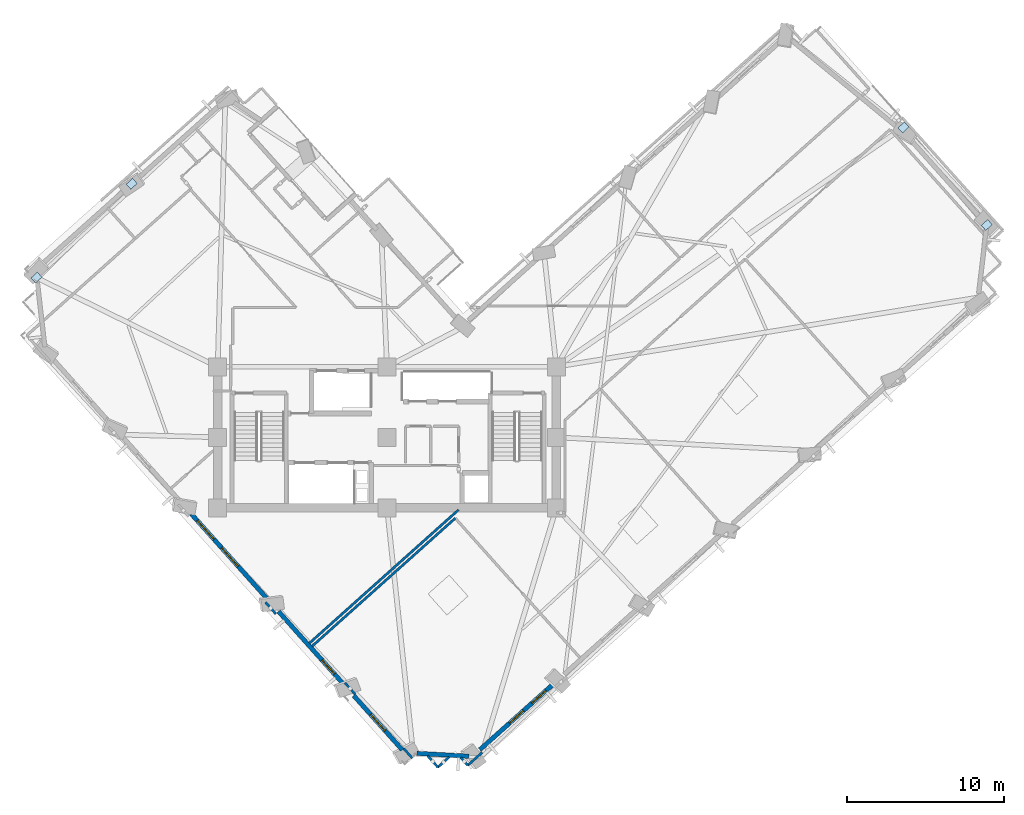
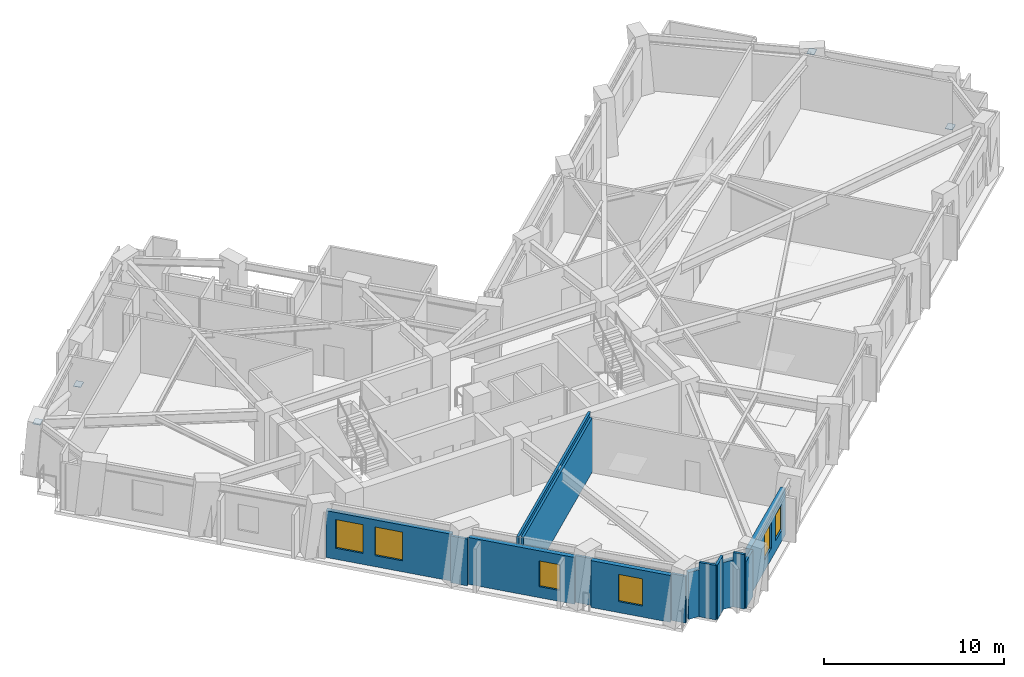
# One storey, part 5 of 14: 14 walls, 6 windows, 4 plates, 6 openings.
"""IFC4 building model written with IfcOpenShell, lengths in metres."""

from ifc_helpers import new_model, si_unit, direction, frame, frame_2d, origin, origin_2d, place, context, subcontext, project, spatial, rectangle, extrude, material, layer, layer_set, type_object, element, fill, save


model = new_model("IFC4")

# Units and contexts
model_context = context("Model", 3, precision=1e-05, world=origin(), true_north=direction((0.0, 1.0)))
body_context = subcontext(model_context, "Body", "Model", "MODEL_VIEW")
ifc_project = project(units=[si_unit("LENGTHUNIT", "METRE"), si_unit("AREAUNIT", "SQUARE_METRE"), si_unit("VOLUMEUNIT", "CUBIC_METRE"), si_unit("PLANEANGLEUNIT", "RADIAN"), si_unit("MASSUNIT", "GRAM", prefix="KILO")], contexts=[model_context])

# Site, building, storey
site_placement = place(None, origin())
site = spatial("IfcSite", under=ifc_project, at=site_placement, CompositionType="ELEMENT")
building_placement = place(site_placement, origin())
building = spatial("IfcBuilding", under=site, at=building_placement, Name="Gaonmaruhae Medical Tower", CompositionType="ELEMENT")
storey_placement = place(building_placement, frame((0.0, 0.0, 201.800048828125)))
storey = spatial("IfcBuildingStorey", under=building, at=storey_placement, Name="L48", CompositionType="ELEMENT", Elevation=201.800048828125)

# Plates
ifc_material_1 = material(Name="Steel HSA650 (650 MPa)", Category="steel")
ifc_layer_1 = layer(ifc_material_1, 0.028076171875)
ifc_layer_set_1 = layer_set([ifc_layer_1], Name="Steel HSA650 (650 MPa)")
plate_type = type_object("IfcPlateType", Name="GP-02 Tube Brace End Cap Gusset Plate", PredefinedType="USERDEFINED", material=ifc_layer_set_1)
for number, where, z_axis, x_axis, name in (
    (1, (63.049072265625, 25.8447265625, 0.23583984375), (0.0, 0.0, 1.0), (0.745475999683, 0.666532470249, 0.0), "L48 Gusset Cap Plate PLT-L48-PBR-E01A"),
    (2, (57.733154296875, 32.060546875, 3.43603515625), (0.0, 0.0, 1.0), (0.734322509436, 0.678800745533, 0.0), "L48 Gusset Cap Plate PLT-L48-PBR-E01B"),
    (3, (8.52197265625, 28.46826171875, 0.23583984375), (0.0, 0.0, 1.0), (0.745475999683, 0.666532470249, 0.0), "L48 Gusset Cap Plate PLT-L48-PBR-N02A"),
    (4, (2.443115234375, 22.48583984375, 3.43603515625), (0.0, 0.0, 1.0), (0.734322509436, 0.678800745533, 0.0), "L48 Gusset Cap Plate PLT-L48-PBR-N02B"),
):
    element("IfcPlate", number, at=place(storey_placement, frame(where, z_axis=z_axis, x_axis=x_axis)), inside=storey, type_object=plate_type, Name=name, ObjectType="GUSSET_PLATE", PredefinedType="USERDEFINED", context=body_context, shape_type="SweptSolid", body=[
        extrude(rectangle(XDim=0.56005859375, YDim=0.43994140625, at=origin_2d()), origin(), (0.0, 0.0, 1.0), 0.028076171875),
    ])

# Wall, openings, windows
ifc_material_2 = material(Name="Precast concrete C45/55", Category="concrete")
ifc_layer_2 = layer(ifc_material_2, 0.280029296875)
ifc_layer_set_2 = layer_set([ifc_layer_2], Name="Precast concrete C45/55")
wall_type_1 = type_object("IfcWallType", Name="EW-280 Upper Precast Masonry-Frame Facade Wall", PredefinedType="SOLIDWALL", material=ifc_layer_set_2)
wall_1_placement = place(storey_placement, frame((35.391845703125, -3.444580078125, 0.0), z_axis=(0.0, 0.0, 1.0), x_axis=(-0.745468368809, -0.666541004819, 0.0)))
wall_1 = element("IfcWall", 5, at=wall_1_placement, inside=storey, type_object=wall_type_1, Name="L48 Precast Masonry-Frame Wall S01-S02", PredefinedType="SOLIDWALL", context=body_context, shape_type="SweptSolid", body=[
    extrude(rectangle(XDim=6.27001953125, YDim=0.280029296875, at=frame_2d((3.135009765625, 0.0))), origin(), (0.0, 0.0, 1.0), 3.18505859375),
])
opening_1_placement = place(wall_1_placement, frame((2.529296875, 0.0, 0.75)))
opening_1 = element("IfcOpeningElement", 6, at=opening_1_placement, cuts=wall_1, Name="Opening WN-05", PredefinedType="OPENING", context=body_context, shape_type="SweptSolid", body=[
    extrude(rectangle(XDim=1.199951171875, YDim=1.75, at=frame_2d((0.60009765625, 0.875))), frame((0.0, 0.14990234375, 0.0), z_axis=(0.0, -1.0, 0.0), x_axis=(1.0, 0.0, 0.0)), (0.0, 0.0, 1.0), 0.300048828125),
])
opening_2_placement = place(wall_1_placement, frame((0.604736328125, 0.0, 0.75)))
opening_2 = element("IfcOpeningElement", 7, at=opening_2_placement, cuts=wall_1, Name="Opening WN-05", PredefinedType="OPENING", context=body_context, shape_type="SweptSolid", body=[
    extrude(rectangle(XDim=1.199951171875, YDim=1.75, at=frame_2d((0.60009765625, 0.875))), frame((0.0, 0.14990234375, 0.0), z_axis=(0.0, -1.0, 0.0), x_axis=(1.0, 0.0, 0.0)), (0.0, 0.0, 1.0), 0.300048828125),
])
ifc_material_3 = material(Name="Anodised aluminium and Low-E double glazing", Category="aluminium")
window_type_1 = type_object("IfcWindowType", Name="WN-05 Support & Staff Punched Window 1200x1750", PartitioningType="SINGLE_PANEL", PredefinedType="WINDOW", material=ifc_material_3)
window_1_placement = place(opening_1_placement, origin())
window_1 = element("IfcWindow", 8, at=window_1_placement, inside=storey, type_object=window_type_1, Name="L48 Modular Facade Window S01", OverallHeight=1.75, OverallWidth=1.199951171875, PartitioningType="SINGLE_PANEL", PredefinedType="WINDOW", context=body_context, shape_type="SweptSolid", body=[
    extrude(rectangle(XDim=1.199951171875, YDim=1.75, at=frame_2d((0.60009765625, 0.875))), frame((0.0, 0.030029296875, 0.0), z_axis=(0.0, -1.0, 0.0), x_axis=(1.0, 0.0, 0.0)), (0.0, 0.0, 1.0), 0.06005859375),
])
fill(opening_1, window_1)
window_2_placement = place(opening_2_placement, origin())
window_2 = element("IfcWindow", 9, at=window_2_placement, inside=storey, type_object=window_type_1, Name="L48 Modular Facade Window S01B", OverallHeight=1.75, OverallWidth=1.199951171875, PartitioningType="SINGLE_PANEL", PredefinedType="WINDOW", context=body_context, shape_type="SweptSolid", body=[
    extrude(rectangle(XDim=1.199951171875, YDim=1.75, at=frame_2d((0.60009765625, 0.875))), frame((0.0, 0.030029296875, 0.0), z_axis=(0.0, -1.0, 0.0), x_axis=(1.0, 0.0, 0.0)), (0.0, 0.0, 1.0), 0.06005859375),
])
fill(opening_2, window_2)

wall_2_placement = place(storey_placement, frame((17.22509765625, 1.930908203125, 0.0), z_axis=(0.0, 0.0, 1.0), x_axis=(-0.666514603802, 0.745491973746, 0.0)))
wall_2 = element("IfcWall", 10, at=wall_2_placement, inside=storey, type_object=wall_type_1, Name="L48 Precast Masonry-Frame Wall W03-W04", PredefinedType="SOLIDWALL", context=body_context, shape_type="SweptSolid", body=[
    extrude(rectangle(XDim=7.3603515625, YDim=0.280029296875, at=frame_2d((3.68017578125, 0.0))), origin(), (0.0, 0.0, 1.0), 3.18505859375),
])
opening_3_placement = place(wall_2_placement, frame((2.880859375, 0.0, 0.75)))
opening_3 = element("IfcOpeningElement", 11, at=opening_3_placement, cuts=wall_2, Name="Opening WN-01", PredefinedType="OPENING", context=body_context, shape_type="SweptSolid", body=[
    extrude(rectangle(XDim=1.60009765625, YDim=1.949951171875, at=frame_2d((0.800048828125, 0.97509765625))), frame((0.0, 0.14990234375, 0.0), z_axis=(0.0, -1.0, 0.0), x_axis=(1.0, 0.0, 0.0)), (0.0, 0.0, 1.0), 0.300048828125),
])
opening_4_placement = place(wall_2_placement, frame((5.185546875, 0.0, 0.75)))
opening_4 = element("IfcOpeningElement", 12, at=opening_4_placement, cuts=wall_2, Name="Opening WN-01", PredefinedType="OPENING", context=body_context, shape_type="SweptSolid", body=[
    extrude(rectangle(XDim=1.60009765625, YDim=1.949951171875, at=frame_2d((0.800048828125, 0.97509765625))), frame((0.0, 0.14990234375, 0.0), z_axis=(0.0, -1.0, 0.0), x_axis=(1.0, 0.0, 0.0)), (0.0, 0.0, 1.0), 0.300048828125),
])
window_type_2 = type_object("IfcWindowType", Name="WN-01 Ward Punched Acoustic Window 1600x1950", PartitioningType="SINGLE_PANEL", PredefinedType="WINDOW", material=ifc_material_3)
window_3_placement = place(opening_3_placement, origin())
window_3 = element("IfcWindow", 13, at=window_3_placement, inside=storey, type_object=window_type_2, Name="L48 Modular Facade Window W03", OverallHeight=1.949951171875, OverallWidth=1.60009765625, PartitioningType="SINGLE_PANEL", PredefinedType="WINDOW", context=body_context, shape_type="SweptSolid", body=[
    extrude(rectangle(XDim=1.60009765625, YDim=1.949951171875, at=frame_2d((0.800048828125, 0.97509765625))), frame((0.0, 0.030029296875, 0.0), z_axis=(0.0, -1.0, 0.0), x_axis=(1.0, 0.0, 0.0)), (0.0, 0.0, 1.0), 0.06005859375),
])
fill(opening_3, window_3)
window_4_placement = place(opening_4_placement, origin())
window_4 = element("IfcWindow", 14, at=window_4_placement, inside=storey, type_object=window_type_2, Name="L48 Modular Facade Window W03B", OverallHeight=1.949951171875, OverallWidth=1.60009765625, PartitioningType="SINGLE_PANEL", PredefinedType="WINDOW", context=body_context, shape_type="SweptSolid", body=[
    extrude(rectangle(XDim=1.60009765625, YDim=1.949951171875, at=frame_2d((0.800048828125, 0.97509765625))), frame((0.0, 0.030029296875, 0.0), z_axis=(0.0, -1.0, 0.0), x_axis=(1.0, 0.0, 0.0)), (0.0, 0.0, 1.0), 0.06005859375),
])
fill(opening_4, window_4)

# Wall, opening, window
wall_3_placement = place(storey_placement, frame((22.03076171875, -3.44384765625, 0.0), z_axis=(0.0, 0.0, 1.0), x_axis=(-0.66652076244, 0.745486467507, 0.0)))
wall_3 = element("IfcWall", 15, at=wall_3_placement, inside=storey, type_object=wall_type_1, Name="L48 Precast Masonry-Frame Wall W04-W05", PredefinedType="SOLIDWALL", context=body_context, shape_type="SweptSolid", body=[
    extrude(rectangle(XDim=6.2236328125, YDim=0.280029296875, at=frame_2d((3.11181640625, 0.0))), origin(), (0.0, 0.0, 1.0), 3.18505859375),
])
opening_5_placement = place(wall_3_placement, frame((0.8701171875, 0.0, 0.75)))
opening_5 = element("IfcOpeningElement", 16, at=opening_5_placement, cuts=wall_3, Name="Opening WN-05", PredefinedType="OPENING", context=body_context, shape_type="SweptSolid", body=[
    extrude(rectangle(XDim=1.199951171875, YDim=1.75, at=frame_2d((0.60009765625, 0.875))), frame((0.0, 0.14990234375, 0.0), z_axis=(0.0, -1.0, 0.0), x_axis=(1.0, 0.0, 0.0)), (0.0, 0.0, 1.0), 0.300048828125),
])
window_5_placement = place(opening_5_placement, origin())
window_5 = element("IfcWindow", 17, at=window_5_placement, inside=storey, type_object=window_type_1, Name="L48 Modular Facade Window W04", OverallHeight=1.75, OverallWidth=1.199951171875, PartitioningType="SINGLE_PANEL", PredefinedType="WINDOW", context=body_context, shape_type="SweptSolid", body=[
    extrude(rectangle(XDim=1.199951171875, YDim=1.75, at=frame_2d((0.60009765625, 0.875))), frame((0.0, 0.030029296875, 0.0), z_axis=(0.0, -1.0, 0.0), x_axis=(1.0, 0.0, 0.0)), (0.0, 0.0, 1.0), 0.06005859375),
])
fill(opening_5, window_5)

wall_4_placement = place(storey_placement, frame((25.772216796875, -7.628173828125, 0.0), z_axis=(0.0, 0.0, 1.0), x_axis=(-0.666581389655, 0.745432257798, 0.0)))
wall_4 = element("IfcWall", 18, at=wall_4_placement, inside=storey, type_object=wall_type_1, Name="L48 Precast Masonry-Frame Wall W05-W06", PredefinedType="SOLIDWALL", context=body_context, shape_type="SweptSolid", body=[
    extrude(rectangle(XDim=4.6474609375, YDim=0.280029296875, at=frame_2d((2.32373046875, 0.0))), origin(), (0.0, 0.0, 1.0), 3.18505859375),
])
opening_6_placement = place(wall_4_placement, frame((1.627197265625, 0.0, 0.75)))
opening_6 = element("IfcOpeningElement", 19, at=opening_6_placement, cuts=wall_4, Name="Opening WN-03", PredefinedType="OPENING", context=body_context, shape_type="SweptSolid", body=[
    extrude(rectangle(XDim=1.39990234375, YDim=1.85009765625, at=frame_2d((0.699951171875, 0.925048828125))), frame((0.0, 0.14990234375, 0.0), z_axis=(0.0, -1.0, 0.0), x_axis=(1.0, 0.0, 0.0)), (0.0, 0.0, 1.0), 0.300048828125),
])
window_type_3 = type_object("IfcWindowType", Name="WN-03 Isolation Ward Punched Window 1400x1850", PartitioningType="SINGLE_PANEL", PredefinedType="WINDOW", material=ifc_material_3)
window_6_placement = place(opening_6_placement, origin())
window_6 = element("IfcWindow", 20, at=window_6_placement, inside=storey, type_object=window_type_3, Name="L48 Modular Facade Window W05", OverallHeight=1.85009765625, OverallWidth=1.39990234375, PartitioningType="SINGLE_PANEL", PredefinedType="WINDOW", context=body_context, shape_type="SweptSolid", body=[
    extrude(rectangle(XDim=1.39990234375, YDim=1.85009765625, at=frame_2d((0.699951171875, 0.925048828125))), frame((0.0, 0.030029296875, 0.0), z_axis=(0.0, -1.0, 0.0), x_axis=(1.0, 0.0, 0.0)), (0.0, 0.0, 1.0), 0.06005859375),
])
fill(opening_6, window_6)

# Walls
wall_5_placement = place(storey_placement, frame((30.0185546875, -8.037841796875, 0.0), z_axis=(0.0, 0.0, 1.0), x_axis=(-0.998439940861, 0.055836229217, 0.0)))
element("IfcWall", 21, at=wall_5_placement, inside=storey, type_object=wall_type_1, Name="L48 Precast Masonry-Frame Wall W06-S01", PredefinedType="SOLIDWALL", context=body_context, shape_type="SweptSolid", body=[
    extrude(rectangle(XDim=3.322998046875, YDim=0.280029296875, at=frame_2d((1.66162109375, 0.0))), origin(), (0.0, 0.0, 1.0), 3.18505859375),
])
ifc_material_4 = material(Name="Gypsum board partition", Category="gypsum")
ifc_layer_3 = layer(ifc_material_4, 0.14990234375)
ifc_layer_set_3 = layer_set([ifc_layer_3], Name="Gypsum board partition")
wall_type_2 = type_object("IfcWallType", Name="PW-150 Rated Clinical Corridor Partition", PredefinedType="PARTITIONING", material=ifc_layer_set_3)
wall_6_placement = place(storey_placement, frame((28.0419921875, -8.741943359375, 0.0), z_axis=(0.0, 0.0, 1.0), x_axis=(-0.667105472247, 0.744963280235, 0.0)))
element("IfcWall", 22, at=wall_6_placement, inside=storey, type_object=wall_type_2, Name="L48 Interior Partition L48-SUP01-8", PredefinedType="PARTITIONING", context=body_context, shape_type="SweptSolid", body=[
    extrude(rectangle(XDim=0.98779296875, YDim=0.14990234375, at=frame_2d((0.493896484375, 0.0))), origin(), (0.0, 0.0, 1.0), 3.699951171875),
])
wall_7_placement = place(storey_placement, frame((26.427001953125, -8.173095703125, 0.0), z_axis=(0.0, 0.0, 1.0), x_axis=(-0.66676945919, 0.745264039312, 0.0)))
element("IfcWall", 23, at=wall_7_placement, inside=storey, type_object=wall_type_2, Name="L48 Interior Partition L48-SUP01-9", PredefinedType="PARTITIONING", context=body_context, shape_type="SweptSolid", body=[
    extrude(rectangle(XDim=0.8427734375, YDim=0.14990234375, at=frame_2d((0.42138671875, 0.0))), origin(), (0.0, 0.0, 1.0), 3.18505859375),
])
wall_8_placement = place(storey_placement, frame((22.76708984375, -4.0810546875, 0.0), z_axis=(0.0, 0.0, 1.0), x_axis=(-0.666151454591, 0.745816491871, 0.0)))
element("IfcWall", 24, at=wall_8_placement, inside=storey, type_object=wall_type_2, Name="L48 Interior Partition L48-SUP01-10", PredefinedType="PARTITIONING", context=body_context, shape_type="SweptSolid", body=[
    extrude(rectangle(XDim=0.96533203125, YDim=0.14990234375, at=frame_2d((0.482666015625, 0.0))), origin(), (0.0, 0.0, 1.0), 3.18505859375),
])
wall_9_placement = place(storey_placement, frame((20.028076171875, -1.01708984375, 0.0), z_axis=(0.0, 0.0, 1.0), x_axis=(0.745456187518, 0.666554628287, 0.0)))
element("IfcWall", 25, at=wall_9_placement, inside=storey, type_object=wall_type_2, Name="L48 Interior Partition L48-SUP01-11", PredefinedType="PARTITIONING", context=body_context, shape_type="SweptSolid", body=[
    extrude(rectangle(XDim=12.24072265625, YDim=0.14990234375, at=frame_2d((6.120361328125, 0.0))), origin(), (0.0, 0.0, 1.0), 3.699951171875),
])
wall_10_placement = place(storey_placement, frame((30.87109375, -7.794921875, 0.0), z_axis=(0.0, 0.0, 1.0), x_axis=(-0.745102286275, -0.666950210277, 0.0)))
element("IfcWall", 26, at=wall_10_placement, inside=storey, type_object=wall_type_2, Name="L48 Interior Partition L48-SUP01-14", PredefinedType="PARTITIONING", context=body_context, shape_type="SweptSolid", body=[
    extrude(rectangle(XDim=1.240234375, YDim=0.14990234375, at=frame_2d((0.6201171875, 0.0))), origin(), (0.0, 0.0, 1.0), 3.18505859375),
])
wall_11_placement = place(storey_placement, frame((29.947021484375, -8.6220703125, 0.0), z_axis=(0.0, 0.0, 1.0), x_axis=(-0.666335307517, 0.745652236607, 0.0)))
element("IfcWall", 27, at=wall_11_placement, inside=storey, type_object=wall_type_2, Name="L48 Interior Partition L48-SUP01-15", PredefinedType="PARTITIONING", context=body_context, shape_type="SweptSolid", body=[
    extrude(rectangle(XDim=0.66796875, YDim=0.14990234375, at=frame_2d((0.333984375, 0.0))), origin(), (0.0, 0.0, 1.0), 3.699951171875),
])
wall_12_placement = place(storey_placement, frame((28.778076171875, -8.083984375, 0.0), z_axis=(0.0, 0.0, 1.0), x_axis=(-0.74556459872, -0.666433364362, 0.0)))
element("IfcWall", 28, at=wall_12_placement, inside=storey, type_object=wall_type_2, Name="L48 Interior Partition L48-SUP01-16", PredefinedType="PARTITIONING", context=body_context, shape_type="SweptSolid", body=[
    extrude(rectangle(XDim=0.9873046875, YDim=0.14990234375, at=frame_2d((0.49365234375, 0.0))), origin(), (0.0, 0.0, 1.0), 3.699951171875),
])
wall_13_placement = place(storey_placement, frame((29.360107421875, 7.675048828125, 0.0), z_axis=(0.0, 0.0, 1.0), x_axis=(-0.745466954055, -0.666542587095, 0.0)))
element("IfcWall", 29, at=wall_13_placement, inside=storey, type_object=wall_type_2, Name="L48 Interior Partition L48-WOF05-33", PredefinedType="PARTITIONING", context=body_context, shape_type="SweptSolid", body=[
    extrude(rectangle(XDim=12.760009765625, YDim=0.14990234375, at=frame_2d((6.3798828125, 0.0))), origin(), (0.0, 0.0, 1.0), 3.699951171875),
])
wall_14_placement = place(storey_placement, frame((17.7109375, 1.0419921875, 0.0), z_axis=(0.0, 0.0, 1.0), x_axis=(-0.665882990266, 0.746056193108, 0.0)))
element("IfcWall", 30, at=wall_14_placement, inside=storey, type_object=wall_type_2, Name="L48 Interior Partition L48-WOF05-34", PredefinedType="PARTITIONING", context=body_context, shape_type="SweptSolid", body=[
    extrude(rectangle(XDim=0.986572265625, YDim=0.14990234375, at=frame_2d((0.4931640625, 0.0))), origin(), (0.0, 0.0, 1.0), 3.18505859375),
])

save(model, "model.ifc")
